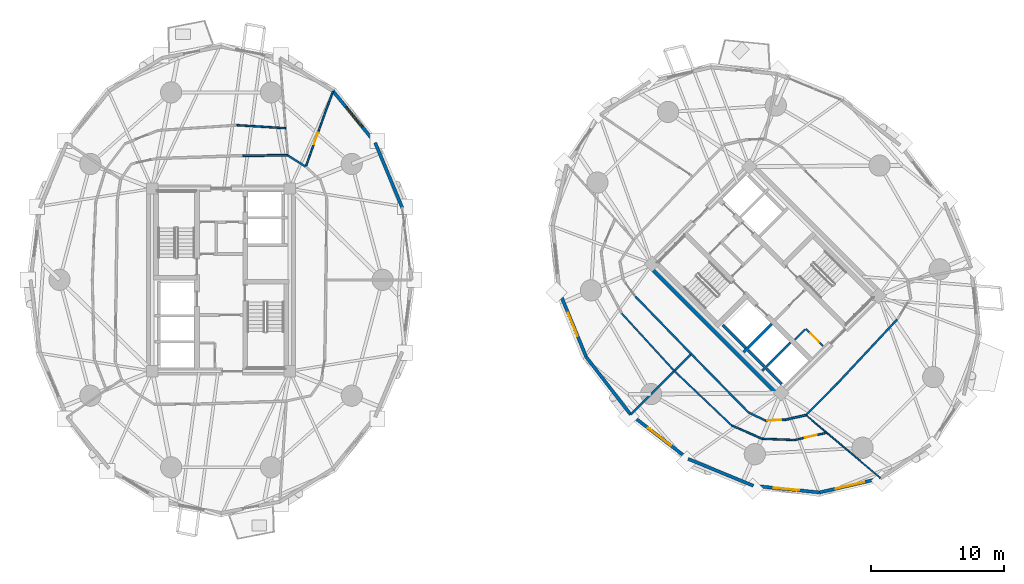
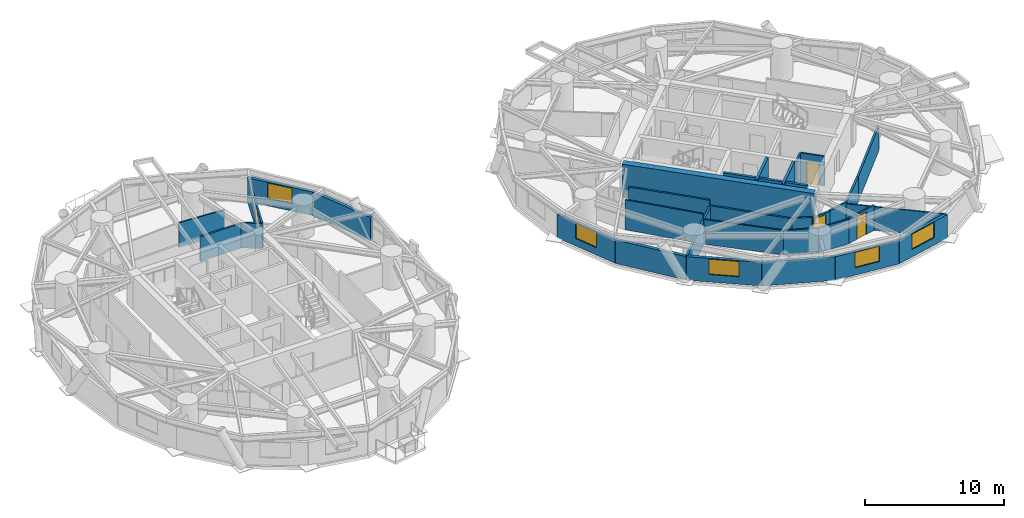
# One storey, part 12 of 18: 34 walls, 5 windows, 4 doors, 9 openings.
"""IFC4 building model written with IfcOpenShell, lengths in metres."""

from ifc_helpers import new_model, si_unit, direction, frame, frame_2d, origin, place, context, subcontext, project, spatial, rectangle, extrude, source, transform, mapped, material, layer, layer_set, type_object, element, fill, save


model = new_model("IFC4")

# Units and contexts
model_context = context("Model", 3, precision=1e-05, world=origin(), true_north=direction((0.0, 1.0)))
body_context = subcontext(model_context, "Body", "Model", "MODEL_VIEW")
ifc_project = project(units=[si_unit("LENGTHUNIT", "METRE"), si_unit("AREAUNIT", "SQUARE_METRE"), si_unit("VOLUMEUNIT", "CUBIC_METRE"), si_unit("PLANEANGLEUNIT", "RADIAN"), si_unit("MASSUNIT", "GRAM", prefix="KILO")], contexts=[model_context])

# Site, building, storey
site_placement = place(None, origin())
site = spatial("IfcSite", under=ifc_project, at=site_placement, CompositionType="ELEMENT")
building_placement = place(site_placement, origin())
building = spatial("IfcBuilding", under=site, at=building_placement, Name="Cununo Teusaquillo Station Towers", CompositionType="ELEMENT")
storey_placement = place(building_placement, frame((0.0, 0.0, 22.0)))
storey = spatial("IfcBuildingStorey", under=building, at=storey_placement, Name="L05", CompositionType="ELEMENT", Elevation=22.0)

# Walls
ifc_material_1 = material(Name="Concrete C50/60", Category="concrete")
ifc_layer_1 = layer(ifc_material_1, 0.199951171875)
ifc_layer_set_1 = layer_set([ifc_layer_1], Name="Concrete C50/60")
wall_type_1 = type_object("IfcWallType", Name="WL-CORE-200", PredefinedType="SHEAR", material=ifc_layer_set_1)
wall_1_placement = place(storey_placement, frame((55.8876953125, 19.0693359375, 0.0), z_axis=(0.0, 0.0, 1.0), x_axis=(0.707106781187, 0.707106781187, 0.0)))
element("IfcWall", 1, at=wall_1_placement, inside=storey, type_object=wall_type_1, Name="L05 Tower B Firefighting Lift Shaft South Shear Wall", PredefinedType="SHEAR", context=body_context, shape_type="SweptSolid", body=[
    extrude(rectangle(XDim=2.969970703125, YDim=0.199951171875, at=frame_2d((1.48486328125, 0.0))), origin(), (0.0, 0.0, 1.0), 2.909912109375),
])
wall_2_placement = place(storey_placement, frame((56.01513671875, 19.366455078125, 0.0), z_axis=(0.0, 0.0, 1.0), x_axis=(-0.707106781187, 0.707106781187, 0.0)))
element("IfcWall", 2, at=wall_2_placement, inside=storey, type_object=wall_type_1, Name="L05 Tower B Firefighting Lift Shaft Rear Shear Wall", PredefinedType="SHEAR", context=body_context, shape_type="SweptSolid", body=[
    extrude(rectangle(XDim=2.43994140625, YDim=0.199951171875, at=frame_2d((1.219970703125, 0.0))), origin(), (0.0, 0.0, 1.0), 2.909912109375),
])
wall_3_placement = place(storey_placement, frame((57.2841796875, 17.6728515625, 0.0), z_axis=(0.0, 0.0, 1.0), x_axis=(0.707147878904, 0.70706568108, 0.0)))
element("IfcWall", 3, at=wall_3_placement, inside=storey, type_object=wall_type_1, Name="L05 Tower B High-Rise Lift Hoistway Divider Shear Wall", PredefinedType="SHEAR", context=body_context, shape_type="SweptSolid", body=[
    extrude(rectangle(XDim=2.97021484375, YDim=0.199951171875, at=frame_2d((1.485107421875, 0.0))), origin(), (0.0, 0.0, 1.0), 2.909912109375),
])
wall_4_placement = place(storey_placement, frame((57.41162109375, 17.969970703125, 0.0), z_axis=(0.0, 0.0, 1.0), x_axis=(-0.707106781187, 0.707106781187, 0.0)))
element("IfcWall", 4, at=wall_4_placement, inside=storey, type_object=wall_type_1, Name="L05 Tower B High-Rise Lift 2 Shaft Rear Shear Wall", PredefinedType="SHEAR", context=body_context, shape_type="SweptSolid", body=[
    extrude(rectangle(XDim=1.73486328125, YDim=0.199951171875, at=frame_2d((0.867431640625, 0.0))), origin(), (0.0, 0.0, 1.0), 2.909912109375),
])
wall_5_placement = place(storey_placement, frame((58.7373046875, 16.64404296875, 0.0), z_axis=(0.0, 0.0, 1.0), x_axis=(-0.707032117043, 0.707181437447, 0.0)))
element("IfcWall", 5, at=wall_5_placement, inside=storey, type_object=wall_type_1, Name="L05 Tower B High-Rise Lift 1 Shaft Rear Shear Wall", PredefinedType="SHEAR", context=body_context, shape_type="SweptSolid", body=[
    extrude(rectangle(XDim=1.635009765625, YDim=0.199951171875, at=frame_2d((0.8173828125, 0.0))), origin(), (0.0, 0.0, 1.0), 2.909912109375),
])
ifc_material_2 = material(Name="Concrete C60/75", Category="concrete")
ifc_layer_2 = layer(ifc_material_2, 0.5)
ifc_layer_set_2 = layer_set([ifc_layer_2], Name="Concrete C60/75")
wall_type_2 = type_object("IfcWallType", Name="WL-CORE-500", PredefinedType="SHEAR", material=ifc_layer_set_2)
wall_6_placement = place(storey_placement, frame((58.772705078125, 15.6611328125, 0.0), z_axis=(0.0, 0.0, 1.0), x_axis=(-0.707106781187, 0.707106781187, 0.0)))
element("IfcWall", 6, at=wall_6_placement, inside=storey, type_object=wall_type_2, Name="L05 Tower B Core Shear Wall W", PredefinedType="SHEAR", context=body_context, shape_type="SweptSolid", body=[
    extrude(rectangle(XDim=14.2998046875, YDim=0.5, at=frame_2d((7.14990234375, 0.0))), origin(), (0.0, 0.0, 1.0), 2.909912109375),
])
ifc_material_3 = material(Name="Precast concrete C40/50", Category="concrete")
ifc_layer_3 = layer(ifc_material_3, 0.239990234375)
ifc_layer_set_3 = layer_set([ifc_layer_3], Name="Precast concrete C40/50")
wall_type_3 = type_object("IfcWallType", Name="WL-EXT-240", PredefinedType="SOLIDWALL", material=ifc_layer_set_3)
wall_7_placement = place(storey_placement, frame((28.110107421875, 34.827392578125, 0.0), z_axis=(0.0, 0.0, 1.0), x_axis=(0.384255919668, -0.923226618009, 0.0)))
element("IfcWall", 7, at=wall_7_placement, inside=storey, type_object=wall_type_3, Name="L05 Tower A Exterior Facade Wall C01", PredefinedType="SOLIDWALL", context=body_context, shape_type="SweptSolid", body=[
    extrude(rectangle(XDim=5.30517578125, YDim=0.239990234375, at=frame_2d((2.652587890625, 0.0))), origin(), (0.0, 0.0, 1.0), 2.072998046875),
])

# Wall, opening, window
wall_8_placement = place(storey_placement, frame((24.935302734375, 38.71435546875, 0.0), z_axis=(0.0, 0.0, 1.0), x_axis=(0.632588557044, -0.774488035735, 0.0)))
wall_8 = element("IfcWall", 8, at=wall_8_placement, inside=storey, type_object=wall_type_3, Name="L05 Tower A Exterior Facade Wall C02", PredefinedType="SOLIDWALL", context=body_context, shape_type="SweptSolid", body=[
    extrude(rectangle(XDim=5.018798828125, YDim=0.239990234375, at=frame_2d((2.50927734375, 0.0))), origin(), (0.0, 0.0, 1.0), 2.072998046875),
])
shared_shape_1 = source(origin(), body_context, "Body", "SweptSolid", [
    extrude(rectangle(XDim=1.89990234375, YDim=1.35009765625, at=frame_2d((0.949951171875, 0.675048828125))), frame((0.0, 0.1298828125, 0.0), z_axis=(0.0, -1.0, 0.0), x_axis=(1.0, 0.0, 0.0)), (0.0, 0.0, 1.0), 0.260009765625),
])
opening_1_placement = place(wall_8_placement, frame((1.55908203125, 0.0, 0.64990234375)))
opening_1 = element("IfcOpeningElement", 9, at=opening_1_placement, cuts=wall_8, Name="Opening WN-02", PredefinedType="OPENING", context=body_context, shape_type="MappedRepresentation", body=[
    mapped(shared_shape_1, transform((0.0, 0.0, 0.0), x_axis=(1.0, 0.0, 0.0), y_axis=(0.0, 1.0, 0.0), z_axis=(0.0, 0.0, 1.0), scale=1.0)),
])
ifc_material_4 = material(Name="Operable acoustic tinted low-E double glazing", Category="glass")
window_type_1 = type_object("IfcWindowType", Name="WIN-OPER-1900", PartitioningType="DOUBLE_PANEL_VERTICAL", PredefinedType="WINDOW", material=ifc_material_4)
shared_shape_2 = source(origin(), body_context, "Body", "SweptSolid", [
    extrude(rectangle(XDim=1.89990234375, YDim=1.35009765625, at=frame_2d((0.949951171875, 0.675048828125))), frame((0.0, 0.030029296875, 0.0), z_axis=(0.0, -1.0, 0.0), x_axis=(1.0, 0.0, 0.0)), (0.0, 0.0, 1.0), 0.06005859375),
])
window_1_placement = place(opening_1_placement, origin())
window_1 = element("IfcWindow", 10, at=window_1_placement, inside=storey, type_object=window_type_1, Name="L05 Tower A Facade Window C02", OverallHeight=1.35009765625, OverallWidth=1.89990234375, PartitioningType="DOUBLE_PANEL_VERTICAL", PredefinedType="WINDOW", context=body_context, shape_type="MappedRepresentation", body=[
    mapped(shared_shape_2, transform((0.0, 0.0, 0.0), x_axis=(1.0, 0.0, 0.0), y_axis=(0.0, 1.0, 0.0), z_axis=(0.0, 0.0, 1.0), scale=1.0)),
])
fill(opening_1, window_1)

wall_9_placement = place(storey_placement, frame((44.009765625, 18.68798828125, 0.0), z_axis=(0.0, 0.0, 1.0), x_axis=(-0.381113147118, 0.924528403616, 0.0)))
wall_9 = element("IfcWall", 11, at=wall_9_placement, inside=storey, type_object=wall_type_3, Name="L05 Tower B Exterior Facade Wall C08", PredefinedType="SOLIDWALL", context=body_context, shape_type="SweptSolid", body=[
    extrude(rectangle(XDim=5.305419921875, YDim=0.239990234375, at=frame_2d((2.65283203125, 0.0))), origin(), (0.0, 0.0, 1.0), 2.072998046875),
])
opening_2_placement = place(wall_9_placement, frame((1.702880859375, 0.0, 0.64990234375)))
opening_2 = element("IfcOpeningElement", 12, at=opening_2_placement, cuts=wall_9, Name="Opening WN-02", PredefinedType="OPENING", context=body_context, shape_type="MappedRepresentation", body=[
    mapped(shared_shape_1, transform((0.0, 0.0, 0.0), x_axis=(1.0, 0.0, 0.0), y_axis=(0.0, 1.0, 0.0), z_axis=(0.0, 0.0, 1.0), scale=1.0)),
])
window_2_placement = place(opening_2_placement, origin())
window_2 = element("IfcWindow", 13, at=window_2_placement, inside=storey, type_object=window_type_1, Name="L05 Tower B Facade Window C08", OverallHeight=1.35009765625, OverallWidth=1.89990234375, PartitioningType="DOUBLE_PANEL_VERTICAL", PredefinedType="WINDOW", context=body_context, shape_type="MappedRepresentation", body=[
    mapped(shared_shape_2, transform((0.0, 0.0, 0.0), x_axis=(1.0, 0.0, 0.0), y_axis=(0.0, 1.0, 0.0), z_axis=(0.0, 0.0, 1.0), scale=1.0)),
])
fill(opening_2, window_2)

# Wall
wall_10_placement = place(storey_placement, frame((47.352294921875, 14.352294921875, 0.0), z_axis=(0.0, 0.0, 1.0), x_axis=(-0.610557396243, 0.791972010801, 0.0)))
element("IfcWall", 14, at=wall_10_placement, inside=storey, type_object=wall_type_3, Name="L05 Tower B Exterior Facade Wall C09", PredefinedType="SOLIDWALL", context=body_context, shape_type="SweptSolid", body=[
    extrude(rectangle(XDim=5.474609375, YDim=0.239990234375, at=frame_2d((2.7373046875, 0.0))), origin(), (0.0, 0.0, 1.0), 2.072998046875),
])

# Wall, opening, window
wall_11_placement = place(storey_placement, frame((51.68798828125, 11.009765625, 0.0), z_axis=(0.0, 0.0, 1.0), x_axis=(-0.791972010801, 0.610557396243, 0.0)))
wall_11 = element("IfcWall", 15, at=wall_11_placement, inside=storey, type_object=wall_type_3, Name="L05 Tower B Exterior Facade Wall C10", PredefinedType="SOLIDWALL", context=body_context, shape_type="SweptSolid", body=[
    extrude(rectangle(XDim=5.474609375, YDim=0.239990234375, at=frame_2d((2.7373046875, 0.0))), origin(), (0.0, 0.0, 1.0), 2.072998046875),
])
shared_shape_3 = source(origin(), body_context, "Body", "SweptSolid", [
    extrude(rectangle(XDim=2.199951171875, YDim=1.35009765625, at=frame_2d((1.10009765625, 0.675048828125))), frame((0.0, 0.1298828125, 0.0), z_axis=(0.0, -1.0, 0.0), x_axis=(1.0, 0.0, 0.0)), (0.0, 0.0, 1.0), 0.260009765625),
])
opening_3_placement = place(wall_11_placement, frame((1.636962890625, 0.0, 0.64990234375)))
opening_3 = element("IfcOpeningElement", 16, at=opening_3_placement, cuts=wall_11, Name="Opening WN-01", PredefinedType="OPENING", context=body_context, shape_type="MappedRepresentation", body=[
    mapped(shared_shape_3, transform((0.0, 0.0, 0.0), x_axis=(1.0, 0.0, 0.0), y_axis=(0.0, 1.0, 0.0), z_axis=(0.0, 0.0, 1.0), scale=1.0)),
])
ifc_material_5 = material(Name="Ceramic-fritted dark low-E double glazing", Category="glass")
window_type_2 = type_object("IfcWindowType", Name="WIN-FRIT-2200", PartitioningType="DOUBLE_PANEL_VERTICAL", PredefinedType="WINDOW", material=ifc_material_5)
shared_shape_4 = source(origin(), body_context, "Body", "SweptSolid", [
    extrude(rectangle(XDim=2.199951171875, YDim=1.35009765625, at=frame_2d((1.10009765625, 0.675048828125))), frame((0.0, 0.030029296875, 0.0), z_axis=(0.0, -1.0, 0.0), x_axis=(1.0, 0.0, 0.0)), (0.0, 0.0, 1.0), 0.06005859375),
])
window_3_placement = place(opening_3_placement, origin())
window_3 = element("IfcWindow", 17, at=window_3_placement, inside=storey, type_object=window_type_2, Name="L05 Tower B Facade Window C10", OverallHeight=1.35009765625, OverallWidth=2.199951171875, PartitioningType="DOUBLE_PANEL_VERTICAL", PredefinedType="WINDOW", context=body_context, shape_type="MappedRepresentation", body=[
    mapped(shared_shape_4, transform((0.0, 0.0, 0.0), x_axis=(1.0, 0.0, 0.0), y_axis=(0.0, 1.0, 0.0), z_axis=(0.0, 0.0, 1.0), scale=1.0)),
])
fill(opening_3, window_3)

# Wall
wall_12_placement = place(storey_placement, frame((56.593017578125, 8.98779296875, 0.0), z_axis=(0.0, 0.0, 1.0), x_axis=(-0.924528403616, 0.381113147118, 0.0)))
element("IfcWall", 18, at=wall_12_placement, inside=storey, type_object=wall_type_3, Name="L05 Tower B Exterior Facade Wall C11", PredefinedType="SOLIDWALL", context=body_context, shape_type="SweptSolid", body=[
    extrude(rectangle(XDim=5.305419921875, YDim=0.239990234375, at=frame_2d((2.65283203125, 0.0))), origin(), (0.0, 0.0, 1.0), 2.072998046875),
])

# Wall, opening, window
wall_13_placement = place(storey_placement, frame((61.58642578125, 8.484130859375, 0.0), z_axis=(0.0, 0.0, 1.0), x_axis=(-0.994951574538, 0.100356187272, 0.0)))
wall_13 = element("IfcWall", 19, at=wall_13_placement, inside=storey, type_object=wall_type_3, Name="L05 Tower B Exterior Facade Wall C12", PredefinedType="SOLIDWALL", context=body_context, shape_type="SweptSolid", body=[
    extrude(rectangle(XDim=5.018798828125, YDim=0.239990234375, at=frame_2d((2.50927734375, 0.0))), origin(), (0.0, 0.0, 1.0), 2.072998046875),
])
opening_4_placement = place(wall_13_placement, frame((1.55908203125, 0.0, 0.64990234375)))
opening_4 = element("IfcOpeningElement", 20, at=opening_4_placement, cuts=wall_13, Name="Opening WN-02", PredefinedType="OPENING", context=body_context, shape_type="MappedRepresentation", body=[
    mapped(shared_shape_1, transform((0.0, 0.0, 0.0), x_axis=(1.0, 0.0, 0.0), y_axis=(0.0, 1.0, 0.0), z_axis=(0.0, 0.0, 1.0), scale=1.0)),
])
window_4_placement = place(opening_4_placement, origin())
window_4 = element("IfcWindow", 21, at=window_4_placement, inside=storey, type_object=window_type_1, Name="L05 Tower B Facade Window C12", OverallHeight=1.35009765625, OverallWidth=1.89990234375, PartitioningType="DOUBLE_PANEL_VERTICAL", PredefinedType="WINDOW", context=body_context, shape_type="MappedRepresentation", body=[
    mapped(shared_shape_2, transform((0.0, 0.0, 0.0), x_axis=(1.0, 0.0, 0.0), y_axis=(0.0, 1.0, 0.0), z_axis=(0.0, 0.0, 1.0), scale=1.0)),
])
fill(opening_4, window_4)

wall_14_placement = place(storey_placement, frame((66.179931640625, 9.54833984375, 0.0), z_axis=(0.0, 0.0, 1.0), x_axis=(-0.974197104074, -0.225698919833, 0.0)))
wall_14 = element("IfcWall", 22, at=wall_14_placement, inside=storey, type_object=wall_type_3, Name="L05 Tower B Exterior Facade Wall C13", PredefinedType="SOLIDWALL", context=body_context, shape_type="SweptSolid", body=[
    extrude(rectangle(XDim=4.715087890625, YDim=0.239990234375, at=frame_2d((2.357421875, 0.0))), origin(), (0.0, 0.0, 1.0), 2.072998046875),
])
opening_5_placement = place(wall_14_placement, frame((1.258056640625, 0.0, 0.64990234375)))
opening_5 = element("IfcOpeningElement", 23, at=opening_5_placement, cuts=wall_14, Name="Opening WN-01", PredefinedType="OPENING", context=body_context, shape_type="MappedRepresentation", body=[
    mapped(shared_shape_3, transform((0.0, 0.0, 0.0), x_axis=(1.0, 0.0, 0.0), y_axis=(0.0, 1.0, 0.0), z_axis=(0.0, 0.0, 1.0), scale=1.0)),
])
window_5_placement = place(opening_5_placement, origin())
window_5 = element("IfcWindow", 24, at=window_5_placement, inside=storey, type_object=window_type_2, Name="L05 Tower B Facade Window C13", OverallHeight=1.35009765625, OverallWidth=2.199951171875, PartitioningType="DOUBLE_PANEL_VERTICAL", PredefinedType="WINDOW", context=body_context, shape_type="MappedRepresentation", body=[
    mapped(shared_shape_4, transform((0.0, 0.0, 0.0), x_axis=(1.0, 0.0, 0.0), y_axis=(0.0, 1.0, 0.0), z_axis=(0.0, 0.0, 1.0), scale=1.0)),
])
fill(opening_5, window_5)

# Wall
ifc_material_6 = material(Name="Fire-rated gypsum plasterboard partition assembly", Category="gypsum")
ifc_layer_4 = layer(ifc_material_6, 0.10009765625)
ifc_layer_set_4 = layer_set([ifc_layer_4], Name="Fire-rated gypsum plasterboard partition assembly")
wall_type_4 = type_object("IfcWallType", Name="WL-PART-100", PredefinedType="MOVABLE", material=ifc_layer_set_4)
wall_15_placement = place(storey_placement, frame((60.5625, 14.3095703125, 0.0), z_axis=(0.0, 0.0, 1.0), x_axis=(0.763547638675, -0.645751502881, 0.0)))
element("IfcWall", 25, at=wall_15_placement, inside=storey, type_object=wall_type_4, Name="L05 Tower B Radial Suite Partition R04", PredefinedType="MOVABLE", context=body_context, shape_type="SweptSolid", body=[
    extrude(rectangle(XDim=7.34521484375, YDim=0.10009765625, at=frame_2d((3.672607421875, 0.0))), origin(), (0.0, 0.0, 1.0), 2.072998046875),
])

# Wall, opening, door
ifc_material_7 = material(Name="Fire-rated gypsum plasterboard partition assembly", Category="gypsum")
ifc_layer_5 = layer(ifc_material_7, 0.125)
ifc_layer_set_5 = layer_set([ifc_layer_5], Name="Fire-rated gypsum plasterboard partition assembly")
wall_type_5 = type_object("IfcWallType", Name="WL-PART-125", PredefinedType="PARTITIONING", material=ifc_layer_set_5)
wall_16_placement = place(storey_placement, frame((22.87744140625, 33.021728515625, 0.0), z_axis=(0.0, 0.0, 1.0), x_axis=(0.339100549831, 0.94075013532, 0.0)))
wall_16 = element("IfcWall", 26, at=wall_16_placement, inside=storey, type_object=wall_type_5, Name="L05 Tower A Grand Conference Salon Suite Subdividing Wall", PredefinedType="PARTITIONING", context=body_context, shape_type="SweptSolid", body=[
    extrude(rectangle(XDim=6.033935546875, YDim=0.125, at=frame_2d((3.01708984375, 0.0))), origin(), (0.0, 0.0, 1.0), 2.072998046875),
])
shared_shape_5 = source(origin(), body_context, "Body", "SweptSolid", [
    extrude(rectangle(XDim=0.89990234375, YDim=2.0048828125, at=frame_2d((0.449951171875, 1.00244140625))), frame((0.0, 0.072509765625, 0.0), z_axis=(0.0, -1.0, 0.0), x_axis=(1.0, 0.0, 0.0)), (0.0, 0.0, 1.0), 0.14501953125),
])
opening_6_placement = place(wall_16_placement, frame((1.800048828125, 0.0, 0.0)))
opening_6 = element("IfcOpeningElement", 27, at=opening_6_placement, cuts=wall_16, Name="Opening D-IN1", PredefinedType="OPENING", context=body_context, shape_type="MappedRepresentation", body=[
    mapped(shared_shape_5, transform((0.0, 0.0, 0.0), x_axis=(1.0, 0.0, 0.0), y_axis=(0.0, 1.0, 0.0), z_axis=(0.0, 0.0, 1.0), scale=1.0)),
])
ifc_material_8 = material(Name="Acoustic solid-core hardwood leaf assembly", Category="wood")
door_type_1 = type_object("IfcDoorType", Name="DR-INT-900", OperationType="NOTDEFINED", PredefinedType="DOOR", material=ifc_material_8)
shared_shape_6 = source(origin(), body_context, "Body", "SweptSolid", [
    extrude(rectangle(XDim=0.89990234375, YDim=2.0048828125, at=frame_2d((0.449951171875, 1.00244140625))), frame((0.0, 0.02490234375, 0.0), z_axis=(0.0, -1.0, 0.0), x_axis=(1.0, 0.0, 0.0)), (0.0, 0.0, 1.0), 0.050048828125),
])
door_1_placement = place(opening_6_placement, origin())
door_1 = element("IfcDoor", 28, at=door_1_placement, inside=storey, type_object=door_type_1, Name="L05 Tower A Grand Conference Salon Suite Connecting Door", OperationType="SINGLE_SWING_LEFT", OverallHeight=2.0048828125, OverallWidth=0.89990234375, PredefinedType="DOOR", context=body_context, shape_type="MappedRepresentation", body=[
    mapped(shared_shape_6, transform((0.0, 0.0, 0.0), x_axis=(1.0, 0.0, 0.0), y_axis=(0.0, 1.0, 0.0), z_axis=(0.0, 0.0, 1.0), scale=1.0)),
])
fill(opening_6, door_1)

# Wall
wall_17_placement = place(storey_placement, frame((21.359375, 35.92236328125, 0.0), z_axis=(0.0, 0.0, 1.0), x_axis=(-0.998040956573, 0.062563959294, 0.0)))
element("IfcWall", 29, at=wall_17_placement, inside=storey, type_object=wall_type_5, Name="L05 Tower A Simultaneous Interpretation Hall Concentric Partition Wall C04", PredefinedType="PARTITIONING", context=body_context, shape_type="SweptSolid", body=[
    extrude(rectangle(XDim=3.683837890625, YDim=0.125, at=frame_2d((1.841796875, 0.0))), origin(), (0.0, 0.0, 1.0), 2.158935546875),
])

# Wall, opening, door
wall_18_placement = place(storey_placement, frame((61.834716796875, 19.529052734375, 0.0), z_axis=(0.0, 0.0, 1.0), x_axis=(-0.707174592913, 0.707038962956, 0.0)))
wall_18 = element("IfcWall", 30, at=wall_18_placement, inside=storey, type_object=wall_type_5, Name="L05 Tower B South-West Compact Store East Wall", PredefinedType="PARTITIONING", context=body_context, shape_type="SweptSolid", body=[
    extrude(rectangle(XDim=1.800048828125, YDim=0.125, at=frame_2d((0.89990234375, 0.0))), origin(), (0.0, 0.0, 1.0), 2.635009765625),
])
opening_7_placement = place(wall_18_placement, frame((0.419921875, 0.0, 0.0)))
opening_7 = element("IfcOpeningElement", 31, at=opening_7_placement, cuts=wall_18, Name="Opening D-SR1", PredefinedType="OPENING", context=body_context, shape_type="MappedRepresentation", body=[
    mapped(shared_shape_5, transform((0.0, 0.0, 0.0), x_axis=(1.0, 0.0, 0.0), y_axis=(0.0, 1.0, 0.0), z_axis=(0.0, 0.0, 1.0), scale=1.0)),
])
ifc_material_9 = material(Name="Galvanised fire-rated hollow steel door assembly", Category="steel")
door_type_2 = type_object("IfcDoorType", Name="DR-STORE-900", OperationType="NOTDEFINED", PredefinedType="DOOR", material=ifc_material_9)
door_2_placement = place(opening_7_placement, origin())
door_2 = element("IfcDoor", 32, at=door_2_placement, inside=storey, type_object=door_type_2, Name="L05 Tower B Core Electrical & Comms Store Door", OperationType="SINGLE_SWING_RIGHT", OverallHeight=2.0048828125, OverallWidth=0.89990234375, PredefinedType="DOOR", context=body_context, shape_type="MappedRepresentation", body=[
    mapped(shared_shape_6, transform((0.0, 0.0, 0.0), x_axis=(1.0, 0.0, 0.0), y_axis=(0.0, 1.0, 0.0), z_axis=(0.0, 0.0, 1.0), scale=1.0)),
])
fill(opening_7, door_2)

# Walls
wall_19_placement = place(storey_placement, frame((59.713134765625, 19.99560546875, 0.0), z_axis=(0.0, 0.0, 1.0), x_axis=(0.707217726, 0.706995818963, 0.0)))
element("IfcWall", 33, at=wall_19_placement, inside=storey, type_object=wall_type_5, Name="L05 Tower B South-West Compact Store North Wall", PredefinedType="PARTITIONING", context=body_context, shape_type="SweptSolid", body=[
    extrude(rectangle(XDim=1.10009765625, YDim=0.125, at=frame_2d((0.550048828125, 0.0))), origin(), (0.0, 0.0, 1.0), 2.635009765625),
])
wall_20_placement = place(storey_placement, frame((46.67578125, 21.9775390625, 0.0), z_axis=(0.0, 0.0, 1.0), x_axis=(0.67473816271, -0.738057187339, 0.0)))
element("IfcWall", 34, at=wall_20_placement, inside=storey, type_object=wall_type_5, Name="L05 Tower B Press & Broadcast Briefing Hall Concentric Partition Wall C09", PredefinedType="PARTITIONING", context=body_context, shape_type="SweptSolid", body=[
    extrude(rectangle(XDim=5.876220703125, YDim=0.125, at=frame_2d((2.93798828125, 0.0))), origin(), (0.0, 0.0, 1.0), 2.635009765625),
])
wall_21_placement = place(storey_placement, frame((50.640625, 17.640625, 0.0), z_axis=(0.0, 0.0, 1.0), x_axis=(0.724909383019, -0.688844239586, 0.0)))
element("IfcWall", 35, at=wall_21_placement, inside=storey, type_object=wall_type_5, Name="L05 Tower B Hospitality Pre-Function Lounge Concentric Partition Wall C10", PredefinedType="PARTITIONING", context=body_context, shape_type="SweptSolid", body=[
    extrude(rectangle(XDim=5.95703125, YDim=0.125, at=frame_2d((2.978515625, 0.0))), origin(), (0.0, 0.0, 1.0), 2.158935546875),
])
wall_22_placement = place(storey_placement, frame((54.958984375, 13.537109375, 0.0), z_axis=(0.0, 0.0, 1.0), x_axis=(0.915414044123, -0.402513512596, 0.0)))
element("IfcWall", 36, at=wall_22_placement, inside=storey, type_object=wall_type_5, Name="L05 Tower B Hospitality Pre-Function Lounge Concentric Partition Wall C11", PredefinedType="PARTITIONING", context=body_context, shape_type="SweptSolid", body=[
    extrude(rectangle(XDim=2.508056640625, YDim=0.125, at=frame_2d((1.25390625, 0.0))), origin(), (0.0, 0.0, 1.0), 2.158935546875),
])
wall_23_placement = place(storey_placement, frame((57.2548828125, 12.527587890625, 0.0), z_axis=(0.0, 0.0, 1.0), x_axis=(0.999290303909, -0.037668136579, 0.0)))
element("IfcWall", 37, at=wall_23_placement, inside=storey, type_object=wall_type_5, Name="L05 Tower B Hospitality Pre-Function Lounge Concentric Partition Wall C12", PredefinedType="PARTITIONING", context=body_context, shape_type="SweptSolid", body=[
    extrude(rectangle(XDim=2.475830078125, YDim=0.125, at=frame_2d((1.23779296875, 0.0))), origin(), (0.0, 0.0, 1.0), 2.158935546875),
])

# Wall, opening, door
wall_24_placement = place(storey_placement, frame((59.72900390625, 12.434326171875, 0.0), z_axis=(0.0, 0.0, 1.0), x_axis=(0.975062765266, 0.221929276555, 0.0)))
wall_24 = element("IfcWall", 38, at=wall_24_placement, inside=storey, type_object=wall_type_5, Name="L05 Tower B Hospitality Pre-Function Lounge Concentric Partition Wall C13", PredefinedType="PARTITIONING", context=body_context, shape_type="SweptSolid", body=[
    extrude(rectangle(XDim=2.46533203125, YDim=0.125, at=frame_2d((1.232666015625, 0.0))), origin(), (0.0, 0.0, 1.0), 2.205078125),
])
opening_8_placement = place(wall_24_placement, frame((0.78271484375, 0.0, 0.0)))
opening_8 = element("IfcOpeningElement", 39, at=opening_8_placement, cuts=wall_24, Name="Opening D-IN1", PredefinedType="OPENING", context=body_context, shape_type="MappedRepresentation", body=[
    mapped(shared_shape_5, transform((0.0, 0.0, 0.0), x_axis=(1.0, 0.0, 0.0), y_axis=(0.0, 1.0, 0.0), z_axis=(0.0, 0.0, 1.0), scale=1.0)),
])
door_3_placement = place(opening_8_placement, origin())
door_3 = element("IfcDoor", 40, at=door_3_placement, inside=storey, type_object=door_type_1, Name="L05 Tower B Hospitality Pre-Function Lounge Connecting Door", OperationType="SINGLE_SWING_LEFT", OverallHeight=2.0048828125, OverallWidth=0.89990234375, PredefinedType="DOOR", context=body_context, shape_type="MappedRepresentation", body=[
    mapped(shared_shape_6, transform((0.0, 0.0, 0.0), x_axis=(1.0, 0.0, 0.0), y_axis=(0.0, 1.0, 0.0), z_axis=(0.0, 0.0, 1.0), scale=1.0)),
])
fill(opening_8, door_3)

# Walls
ifc_material_10 = material(Name="Fire-rated gypsum plasterboard partition assembly", Category="gypsum")
ifc_layer_6 = layer(ifc_material_10, 0.14990234375)
ifc_layer_set_6 = layer_set([ifc_layer_6], Name="Fire-rated gypsum plasterboard partition assembly")
wall_type_6 = type_object("IfcWallType", Name="WL-PART-150", PredefinedType="PARTITIONING", material=ifc_layer_set_6)
wall_25_placement = place(storey_placement, frame((22.87744140625, 33.021728515625, 0.0), z_axis=(0.0, 0.0, 1.0), x_axis=(-0.845895608855, 0.533348496689, 0.0)))
element("IfcWall", 41, at=wall_25_placement, inside=storey, type_object=wall_type_6, Name="L05 Tower A Corridor Ring Wall C03", PredefinedType="PARTITIONING", context=body_context, shape_type="SweptSolid", body=[
    extrude(rectangle(XDim=1.5966796875, YDim=0.14990234375, at=frame_2d((0.79833984375, 0.0))), origin(), (0.0, 0.0, 1.0), 2.205078125),
])
wall_26_placement = place(storey_placement, frame((21.52685546875, 33.873291015625, 0.0), z_axis=(0.0, 0.0, 1.0), x_axis=(-0.999991838845, -0.004040079574, 0.0)))
element("IfcWall", 42, at=wall_26_placement, inside=storey, type_object=wall_type_6, Name="L05 Tower A Corridor Ring Wall C04", PredefinedType="PARTITIONING", context=body_context, shape_type="SweptSolid", body=[
    extrude(rectangle(XDim=3.384033203125, YDim=0.14990234375, at=frame_2d((1.69189453125, 0.0))), origin(), (0.0, 0.0, 1.0), 2.158935546875),
])
wall_27_placement = place(storey_placement, frame((47.70556640625, 23.253173828125, 0.0), z_axis=(0.0, 0.0, 1.0), x_axis=(0.696179266346, -0.717867974707, 0.0)))
element("IfcWall", 43, at=wall_27_placement, inside=storey, type_object=wall_type_6, Name="L05 Tower B Corridor Ring Wall C09", PredefinedType="PARTITIONING", context=body_context, shape_type="SweptSolid", body=[
    extrude(rectangle(XDim=6.044677734375, YDim=0.14990234375, at=frame_2d((3.0224609375, 0.0))), origin(), (0.0, 0.0, 1.0), 2.635009765625),
])
wall_28_placement = place(storey_placement, frame((51.913818359375, 18.913818359375, 0.0), z_axis=(0.0, 0.0, 1.0), x_axis=(0.699999313799, -0.714143515465, 0.0)))
element("IfcWall", 44, at=wall_28_placement, inside=storey, type_object=wall_type_6, Name="L05 Tower B Corridor Ring Wall C10", PredefinedType="PARTITIONING", context=body_context, shape_type="SweptSolid", body=[
    extrude(rectangle(XDim=6.162109375, YDim=0.14990234375, at=frame_2d((3.0810546875, 0.0))), origin(), (0.0, 0.0, 1.0), 2.158935546875),
])
wall_29_placement = place(storey_placement, frame((56.227294921875, 14.51318359375, 0.0), z_axis=(0.0, 0.0, 1.0), x_axis=(0.901477579283, -0.432825801044, 0.0)))
element("IfcWall", 45, at=wall_29_placement, inside=storey, type_object=wall_type_6, Name="L05 Tower B Corridor Ring Wall C11", PredefinedType="PARTITIONING", context=body_context, shape_type="SweptSolid", body=[
    extrude(rectangle(XDim=1.42431640625, YDim=0.14990234375, at=frame_2d((0.712158203125, 0.0))), origin(), (0.0, 0.0, 1.0), 2.205078125),
])

# Wall, opening, door
wall_30_placement = place(storey_placement, frame((57.51123046875, 13.896728515625, 0.0), z_axis=(0.0, 0.0, 1.0), x_axis=(0.999024538494, 0.044158481476, 0.0)))
wall_30 = element("IfcWall", 46, at=wall_30_placement, inside=storey, type_object=wall_type_6, Name="L05 Tower B Corridor Ring Wall C12", PredefinedType="PARTITIONING", context=body_context, shape_type="SweptSolid", body=[
    extrude(rectangle(XDim=1.498291015625, YDim=0.14990234375, at=frame_2d((0.7490234375, 0.0))), origin(), (0.0, 0.0, 1.0), 2.158935546875),
])
shared_shape_7 = source(origin(), body_context, "Body", "SweptSolid", [
    extrude(rectangle(XDim=1.050048828125, YDim=2.014892578125, at=frame_2d((0.52490234375, 1.00732421875))), frame((0.0, 0.0849609375, 0.0), z_axis=(0.0, -1.0, 0.0), x_axis=(1.0, 0.0, 0.0)), (0.0, 0.0, 1.0), 0.169921875),
])
opening_9_placement = place(wall_30_placement, frame((0.1201171875, 0.0, 0.0)))
opening_9 = element("IfcOpeningElement", 47, at=opening_9_placement, cuts=wall_30, Name="Opening D-SU1", PredefinedType="OPENING", context=body_context, shape_type="MappedRepresentation", body=[
    mapped(shared_shape_7, transform((0.0, 0.0, 0.0), x_axis=(1.0, 0.0, 0.0), y_axis=(0.0, 1.0, 0.0), z_axis=(0.0, 0.0, 1.0), scale=1.0)),
])
ifc_material_11 = material(Name="Acoustic solid-core hardwood leaf assembly", Category="wood")
door_type_3 = type_object("IfcDoorType", Name="DR-SUITE-1050", OperationType="NOTDEFINED", PredefinedType="DOOR", material=ifc_material_11)
shared_shape_8 = source(origin(), body_context, "Body", "SweptSolid", [
    extrude(rectangle(XDim=1.050048828125, YDim=2.014892578125, at=frame_2d((0.52490234375, 1.00732421875))), frame((0.0, 0.02490234375, 0.0), z_axis=(0.0, -1.0, 0.0), x_axis=(1.0, 0.0, 0.0)), (0.0, 0.0, 1.0), 0.050048828125),
])
door_4_placement = place(opening_9_placement, origin())
door_4 = element("IfcDoor", 48, at=door_4_placement, inside=storey, type_object=door_type_3, Name="L05 Tower B Hospitality Pre-Function Lounge Entrance Door", OperationType="SINGLE_SWING_RIGHT", OverallHeight=2.014892578125, OverallWidth=1.050048828125, PredefinedType="DOOR", context=body_context, shape_type="MappedRepresentation", body=[
    mapped(shared_shape_8, transform((0.0, 0.0, 0.0), x_axis=(1.0, 0.0, 0.0), y_axis=(0.0, 1.0, 0.0), z_axis=(0.0, 0.0, 1.0), scale=1.0)),
])
fill(opening_9, door_4)

# Walls
wall_31_placement = place(storey_placement, frame((59.008056640625, 13.962890625, 0.0), z_axis=(0.0, 0.0, 1.0), x_axis=(0.976020856791, 0.21767702476, 0.0)))
element("IfcWall", 49, at=wall_31_placement, inside=storey, type_object=wall_type_6, Name="L05 Tower B Corridor Ring Wall C13", PredefinedType="PARTITIONING", context=body_context, shape_type="SweptSolid", body=[
    extrude(rectangle(XDim=1.592529296875, YDim=0.14990234375, at=frame_2d((0.79638671875, 0.0))), origin(), (0.0, 0.0, 1.0), 2.205078125),
])
wall_32_placement = place(storey_placement, frame((60.5625, 14.3095703125, 0.0), z_axis=(0.0, 0.0, 1.0), x_axis=(0.704566236161, 0.709638230975, 0.0)))
element("IfcWall", 50, at=wall_32_placement, inside=storey, type_object=wall_type_6, Name="L05 Tower B Corridor Ring Wall C14", PredefinedType="PARTITIONING", context=body_context, shape_type="SweptSolid", body=[
    extrude(rectangle(XDim=3.3212890625, YDim=0.14990234375, at=frame_2d((1.66064453125, 0.0))), origin(), (0.0, 0.0, 1.0), 2.158935546875),
])
wall_33_placement = place(storey_placement, frame((62.902587890625, 16.66650390625, 0.0), z_axis=(0.0, 0.0, 1.0), x_axis=(0.682371947497, 0.731005147225, 0.0)))
element("IfcWall", 51, at=wall_33_placement, inside=storey, type_object=wall_type_6, Name="L05 Tower B Corridor Ring Wall C15", PredefinedType="PARTITIONING", context=body_context, shape_type="SweptSolid", body=[
    extrude(rectangle(XDim=6.6416015625, YDim=0.14990234375, at=frame_2d((3.32080078125, 0.0))), origin(), (0.0, 0.0, 1.0), 2.158935546875),
])
ifc_material_12 = material(Name="Fire-rated gypsum plasterboard partition assembly", Category="gypsum")
ifc_layer_7 = layer(ifc_material_12, 0.159912109375)
ifc_layer_set_7 = layer_set([ifc_layer_7], Name="Fire-rated gypsum plasterboard partition assembly")
wall_type_7 = type_object("IfcWallType", Name="WL-PART-160", PredefinedType="PARTITIONING", material=ifc_layer_set_7)
wall_34_placement = place(storey_placement, frame((51.913818359375, 18.913818359375, 0.0), z_axis=(0.0, 0.0, 1.0), x_axis=(-0.707106781187, -0.707106781187, 0.0)))
element("IfcWall", 52, at=wall_34_placement, inside=storey, type_object=wall_type_7, Name="L05 Tower B Radial Suite Partition R03", PredefinedType="PARTITIONING", context=body_context, shape_type="SweptSolid", body=[
    extrude(rectangle(XDim=6.430908203125, YDim=0.159912109375, at=frame_2d((3.21533203125, 0.0))), origin(), (0.0, 0.0, 1.0), 2.072998046875),
])

save(model, "model.ifc")
